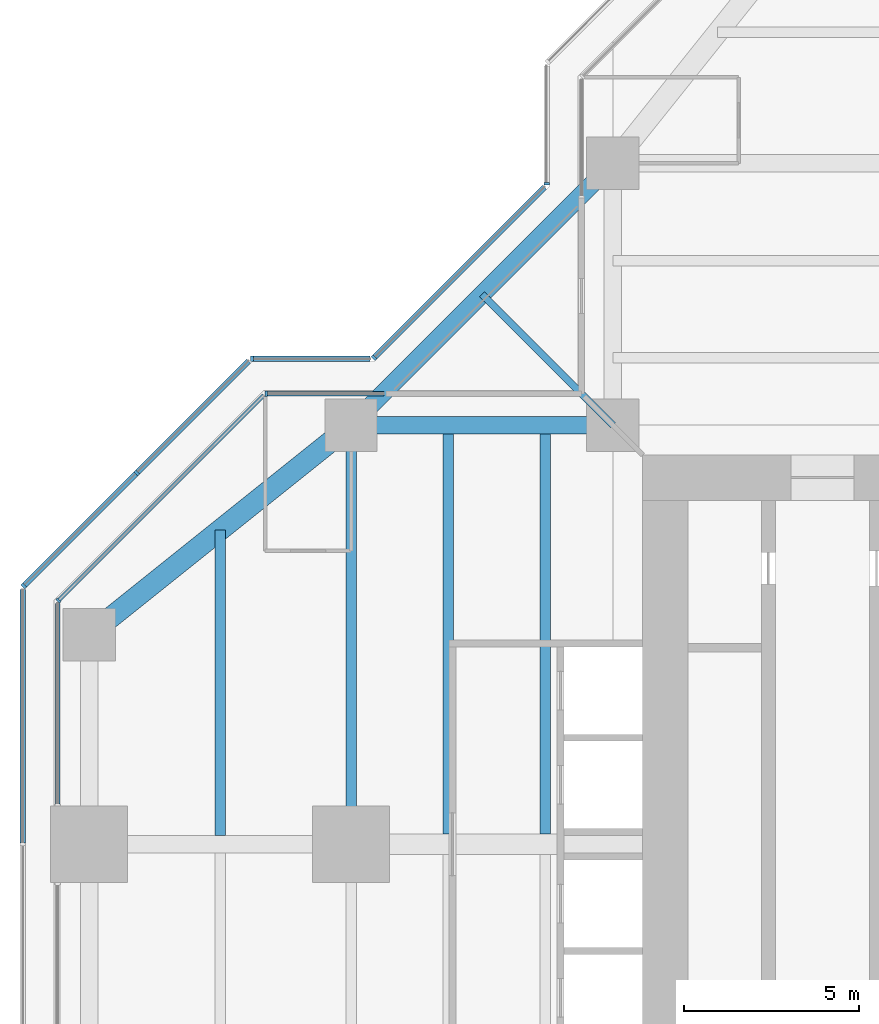
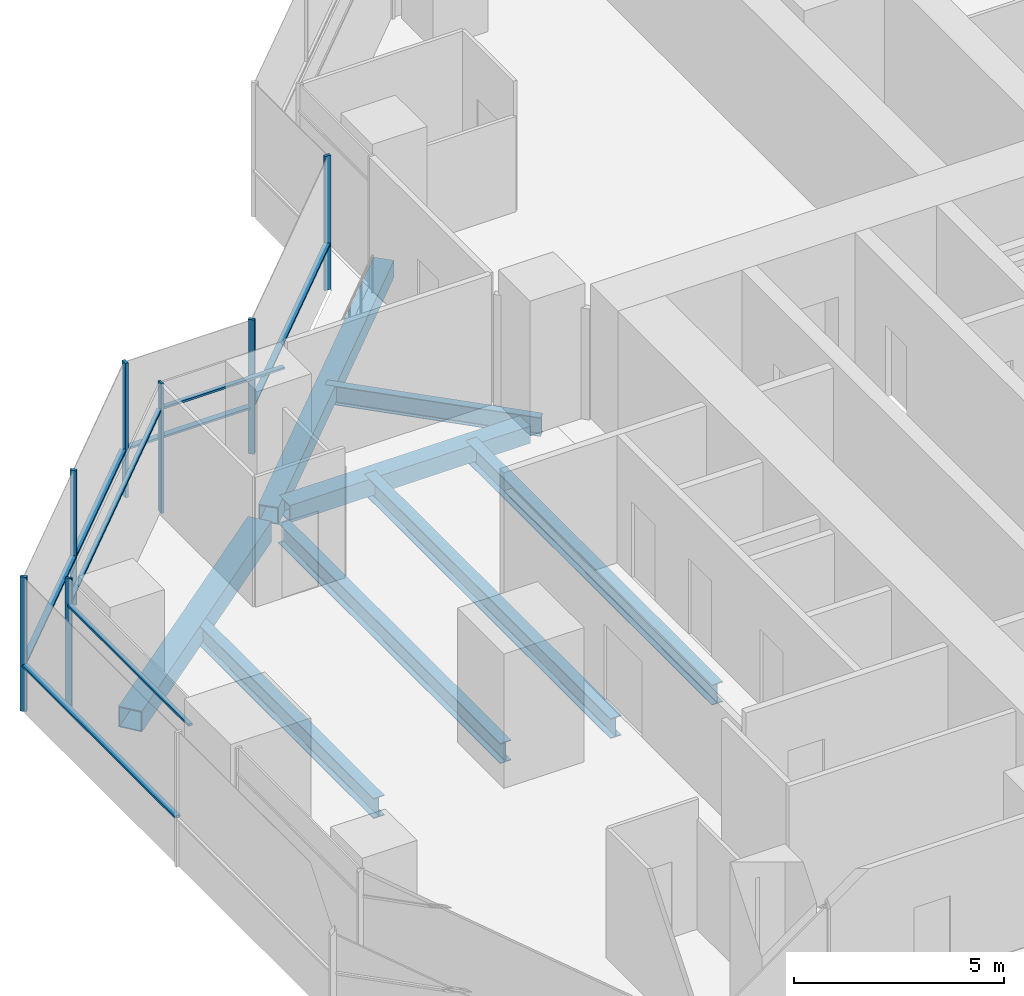
# One storey, part 6 of 17: 15 members, 8 beams, 8 elements without a shape of their own.
"""IFC4 building model written with IfcOpenShell, lengths in metres."""

from ifc_helpers import new_model, si_unit, direction, frame, origin, origin_2d, place, context, subcontext, project, spatial, rectangle, hollow_rectangle, i_section, extrude, material, material_profile, profile_set, type_object, element, aggregate, save


model = new_model("IFC4")

# Units and contexts
model_context = context("Model", 3, precision=1e-05, world=origin(), true_north=direction((0.0, 1.0)))
body_context = subcontext(model_context, "Body", "Model", "MODEL_VIEW")
ifc_project = project(units=[si_unit("LENGTHUNIT", "METRE"), si_unit("AREAUNIT", "SQUARE_METRE"), si_unit("VOLUMEUNIT", "CUBIC_METRE"), si_unit("PLANEANGLEUNIT", "RADIAN"), si_unit("MASSUNIT", "GRAM", prefix="KILO")], contexts=[model_context])

# Site, building, storey
site_placement = place(None, origin())
site = spatial("IfcSite", under=ifc_project, at=site_placement, CompositionType="ELEMENT")
building_placement = place(site_placement, origin())
building = spatial("IfcBuilding", under=site, at=building_placement, Name="Mizan Broadcast Tower", CompositionType="ELEMENT")
storey_placement = place(building_placement, frame((0.0, 0.0, 208.800048828125)))
storey = spatial("IfcBuildingStorey", under=building, at=storey_placement, Name="L48", CompositionType="ELEMENT", Elevation=208.800048828125)

# Beams
ifc_material_1 = material(Name="Steel S355", Category="steel")
ifc_material_profile_1 = material_profile(ifc_material_1, hollow_rectangle(XDim=0.5, YDim=0.5, WallThickness=0.030029296875, at=origin_2d()), Name="BOX 500x500x30")
ifc_profile_set_1 = profile_set([ifc_material_profile_1], Name="Steel S355")
beam_type_1 = type_object("IfcBeamType", Name="EDGE BEAM BOX 500x500x30", PredefinedType="SPANDREL", material=ifc_profile_set_1)
beam_1_placement = place(storey_placement, frame((-12.449951171875, 12.0, -0.380126953125), z_axis=(-1.0, 0.0, 0.0), x_axis=(0.0, -1.0, 0.0)))
element("IfcBeam", 1, at=beam_1_placement, inside=storey, type_object=beam_type_1, Name="Edge beam BOX 500x500x30 L48 west arm", PredefinedType="SPANDREL", context=body_context, shape_type="SweptSolid", body=[
    extrude(hollow_rectangle(XDim=0.5, YDim=0.5, WallThickness=0.030029296875, at=origin_2d()), origin(), (0.0, 0.0, 1.0), 6.60009765625),
])
beam_2_placement = place(storey_placement, frame((-12.0, 19.5, -0.380126953125), z_axis=(-0.707106781187, -0.707106781187, 0.0), x_axis=(0.707106781187, -0.707106781187, 0.0)))
element("IfcBeam", 2, at=beam_2_placement, inside=storey, type_object=beam_type_1, Name="Winter garden edge beam L48 N", PredefinedType="SPANDREL", context=body_context, shape_type="SweptSolid", body=[
    extrude(hollow_rectangle(XDim=0.5, YDim=0.5, WallThickness=0.030029296875, at=origin_2d()), origin(), (0.0, 0.0, 1.0), 10.606689453125),
])
ifc_material_2 = material(Name="Steel S355", Category="steel")
ifc_material_profile_2 = material_profile(ifc_material_2, hollow_rectangle(XDim=0.60009765625, YDim=0.60009765625, WallThickness=0.030029296875, at=origin_2d()), Name="BOX 600x600x30")
ifc_profile_set_2 = profile_set([ifc_material_profile_2], Name="Steel S355")
beam_type_2 = type_object("IfcBeamType", Name="EDGE BEAM BOX 600x600x30", PredefinedType="SPANDREL", material=ifc_profile_set_2)
beam_3_placement = place(storey_placement, frame((-19.949951171875, 11.639892578125, -0.429931640625), z_axis=(-0.780885717636, -0.624673911726, 0.0), x_axis=(0.624673911726, -0.780885717636, 0.0)))
element("IfcBeam", 3, at=beam_3_placement, inside=storey, type_object=beam_type_2, Name="Edge beam BOX 600x600x30 L48 west arm", PredefinedType="SPANDREL", context=body_context, shape_type="SweptSolid", body=[
    extrude(hollow_rectangle(XDim=0.60009765625, YDim=0.60009765625, WallThickness=0.030029296875, at=origin_2d()), origin(), (0.0, 0.0, 1.0), 8.4521484375),
])
ifc_material_3 = material(Name="Steel S355", Category="steel")
ifc_material_profile_3 = material_profile(ifc_material_3, i_section(OverallWidth=0.300048828125, OverallDepth=0.590087890625, WebThickness=0.012939453125, FlangeThickness=0.02490234375, FilletRadius=0.027099609375, at=origin_2d()), Name="HEA 600")
ifc_profile_set_3 = profile_set([ifc_material_profile_3], Name="Steel S355")
beam_type_3 = type_object("IfcBeamType", Name="GIRDER HEA 600", PredefinedType="BEAM", material=ifc_profile_set_3)
beam_4_placement = place(storey_placement, frame((-19.5, 11.280029296875, -0.425048828125), z_axis=(0.0, -1.0, 0.0), x_axis=(1.0, 0.0, 0.0)))
element("IfcBeam", 4, at=beam_4_placement, inside=storey, type_object=beam_type_3, Name="Girder HEA 600 L48 west arm", PredefinedType="BEAM", context=body_context, shape_type="SweptSolid", body=[
    extrude(i_section(OverallWidth=0.300048828125, OverallDepth=0.590087890625, WebThickness=0.012939453125, FlangeThickness=0.02490234375, FilletRadius=0.027099609375, at=origin_2d()), origin(), (0.0, 0.0, 1.0), 10.56005859375),
])

# Curtain wall, member
ifc_material_4 = material(Name="Aluminium framed glazing", Category="aluminium")
curtain_wall_type_1 = type_object("IfcCurtainWallType", Name="INNER SKIN HIGH ZONE", PredefinedType="USERDEFINED", material=ifc_material_4)
curtain_wall_1_placement = place(storey_placement, origin())
curtain_wall_1 = element("IfcCurtainWall", 5, at=curtain_wall_1_placement, inside=storey, type_object=curtain_wall_type_1, Name="Inner skin high zone L48 W side", ObjectType="INNER SKIN HIGH ZONE", PredefinedType="USERDEFINED")
ifc_material_5 = material(Name="Aluminium, pale anodised", Category="aluminium")
ifc_material_profile_4 = material_profile(ifc_material_5, rectangle(XDim=0.159912109375, YDim=0.06005859375, at=origin_2d()), Name="MULLION 160x60")
ifc_profile_set_4 = profile_set([ifc_material_profile_4], Name="Aluminium, pale anodised")
member_type_1 = type_object("IfcMemberType", Name="INNER SKIN MULLION 60x160", PredefinedType="MULLION", material=ifc_profile_set_4)
member_1_placement = place(storey_placement, frame((-21.928466796875, 12.89990234375, 0.0), z_axis=(0.0, 0.0, 1.0), x_axis=(0.0, -1.0, 0.0)))
member_1 = element("IfcMember", 6, at=member_1_placement, type_object=member_type_1, Name="Inner skin high zone L48 W side mullion 2", PredefinedType="MULLION", context=body_context, shape_type="SweptSolid", body=[
    extrude(rectangle(XDim=0.159912109375, YDim=0.06005859375, at=origin_2d()), origin(), (0.0, 0.0, 1.0), 3.77001953125),
])

curtain_wall_2_placement = place(storey_placement, origin())
curtain_wall_2 = element("IfcCurtainWall", 7, at=curtain_wall_2_placement, inside=storey, type_object=curtain_wall_type_1, Name="Inner skin high zone L48 W chamfer", ObjectType="INNER SKIN HIGH ZONE", PredefinedType="USERDEFINED")
member_2_placement = place(storey_placement, frame((-27.87890625, 6.979736328125, 0.0), z_axis=(0.0, 0.0, 1.0), x_axis=(0.707106781187, -0.707106781187, 0.0)))
member_2 = element("IfcMember", 8, at=member_2_placement, type_object=member_type_1, Name="Inner skin high zone L48 W chamfer mullion 2", PredefinedType="MULLION", context=body_context, shape_type="SweptSolid", body=[
    extrude(rectangle(XDim=0.159912109375, YDim=0.06005859375, at=origin_2d()), origin(), (0.0, 0.0, 1.0), 3.77001953125),
])

# Member
ifc_material_6 = material(Name="Aluminium, pale anodised", Category="aluminium")
ifc_material_profile_5 = material_profile(ifc_material_6, rectangle(XDim=0.1201171875, YDim=0.06005859375, at=origin_2d()), Name="TRANSOM 120x60")
ifc_profile_set_5 = profile_set([ifc_material_profile_5], Name="Aluminium, pale anodised")
member_type_2 = type_object("IfcMemberType", Name="INNER SKIN TRANSOM 60x120", PredefinedType="USERDEFINED", material=ifc_profile_set_5)
member_3_placement = place(storey_placement, frame((-18.56005859375, 12.89990234375, 3.030029296875), z_axis=(-1.0, 0.0, 0.0), x_axis=(0.0, -1.0, 0.0)))
member_3 = element("IfcMember", 9, at=member_3_placement, type_object=member_type_2, Name="Inner skin high zone L48 W side transom 1.1", ObjectType="TRANSOM", PredefinedType="USERDEFINED", context=body_context, shape_type="SweptSolid", body=[
    extrude(rectangle(XDim=0.1201171875, YDim=0.06005859375, at=origin_2d()), origin(), (0.0, 0.0, 1.0), 3.338623046875),
])

aggregate(curtain_wall_1, [member_1, member_3])

member_4_placement = place(storey_placement, frame((-22.0009765625, 12.857666015625, 3.030029296875), z_axis=(-0.707106781187, -0.707106781187, 0.0), x_axis=(0.707106781187, -0.707106781187, 0.0)))
member_4 = element("IfcMember", 10, at=member_4_placement, type_object=member_type_2, Name="Inner skin high zone L48 W chamfer transom 1.1", ObjectType="TRANSOM", PredefinedType="USERDEFINED", context=body_context, shape_type="SweptSolid", body=[
    extrude(rectangle(XDim=0.1201171875, YDim=0.06005859375, at=origin_2d()), origin(), (0.0, 0.0, 1.0), 8.28271484375),
])

aggregate(curtain_wall_2, [member_2, member_4])

# Curtain wall, member
curtain_wall_3_placement = place(storey_placement, origin())
curtain_wall_3 = element("IfcCurtainWall", 11, at=curtain_wall_3_placement, inside=storey, type_object=curtain_wall_type_1, Name="Inner skin high zone L48 W end", ObjectType="INNER SKIN HIGH ZONE", PredefinedType="USERDEFINED")
member_5_placement = place(storey_placement, frame((-27.89990234375, 6.898681640625, 3.030029296875), z_axis=(0.0, -1.0, 0.0), x_axis=(1.0, 0.0, 0.0)))
member_5 = element("IfcMember", 12, at=member_5_placement, type_object=member_type_2, Name="Inner skin high zone L48 W end transom 1.1", ObjectType="TRANSOM", PredefinedType="USERDEFINED", context=body_context, shape_type="SweptSolid", body=[
    extrude(rectangle(XDim=0.1201171875, YDim=0.06005859375, at=origin_2d()), origin(), (0.0, 0.0, 1.0), 5.73876953125),
])
aggregate(curtain_wall_3, [member_5])

ifc_material_7 = material(Name="Aluminium framed glazing", Category="aluminium")
curtain_wall_type_2 = type_object("IfcCurtainWallType", Name="OUTER SKIN", PredefinedType="USERDEFINED", material=ifc_material_7)
curtain_wall_4_placement = place(storey_placement, origin())
curtain_wall_4 = element("IfcCurtainWall", 13, at=curtain_wall_4_placement, inside=storey, type_object=curtain_wall_type_2, Name="Outer skin L48 N side", ObjectType="OUTER SKIN", PredefinedType="USERDEFINED")
ifc_material_8 = material(Name="Aluminium, pale anodised", Category="aluminium")
ifc_material_profile_6 = material_profile(ifc_material_8, rectangle(XDim=0.159912109375, YDim=0.080078125, at=origin_2d()), Name="MULLION 160x80")
ifc_profile_set_6 = profile_set([ifc_material_profile_6], Name="Aluminium, pale anodised")
member_type_3 = type_object("IfcMemberType", Name="OUTER SKIN MULLION 80x160", PredefinedType="MULLION", material=ifc_profile_set_6)
member_6_placement = place(storey_placement, frame((-13.89990234375, 18.912841796875, 0.0), z_axis=(0.0, 0.0, 1.0), x_axis=(1.0, 0.0, 0.0)))
member_6 = element("IfcMember", 14, at=member_6_placement, type_object=member_type_3, Name="Outer skin L48 N side mullion 2", PredefinedType="MULLION", context=body_context, shape_type="SweptSolid", body=[
    extrude(rectangle(XDim=0.159912109375, YDim=0.080078125, at=origin_2d()), origin(), (0.0, 0.0, 1.0), 3.89990234375),
])
aggregate(curtain_wall_4, [member_6])

curtain_wall_5_placement = place(storey_placement, origin())
curtain_wall_5 = element("IfcCurtainWall", 15, at=curtain_wall_5_placement, inside=storey, type_object=curtain_wall_type_2, Name="Outer skin L48 W chamfer", ObjectType="OUTER SKIN", PredefinedType="USERDEFINED")
member_7_placement = place(storey_placement, frame((-18.844482421875, 13.92822265625, 0.0), z_axis=(0.0, 0.0, 1.0), x_axis=(0.707106781187, -0.707106781187, 0.0)))
member_7 = element("IfcMember", 16, at=member_7_placement, type_object=member_type_3, Name="Outer skin L48 W chamfer mullion 2", PredefinedType="MULLION", context=body_context, shape_type="SweptSolid", body=[
    extrude(rectangle(XDim=0.159912109375, YDim=0.080078125, at=origin_2d()), origin(), (0.0, 0.0, 1.0), 3.89990234375),
])

curtain_wall_6_placement = place(storey_placement, origin())
curtain_wall_6 = element("IfcCurtainWall", 17, at=curtain_wall_6_placement, inside=storey, type_object=curtain_wall_type_2, Name="Outer skin L48 W side", ObjectType="OUTER SKIN", PredefinedType="USERDEFINED")
member_8_placement = place(storey_placement, frame((-22.332763671875, 13.89990234375, 0.0), z_axis=(0.0, 0.0, 1.0), x_axis=(0.0, -1.0, 0.0)))
member_8 = element("IfcMember", 18, at=member_8_placement, type_object=member_type_3, Name="Outer skin L48 W side mullion 2", PredefinedType="MULLION", context=body_context, shape_type="SweptSolid", body=[
    extrude(rectangle(XDim=0.159912109375, YDim=0.080078125, at=origin_2d()), origin(), (0.0, 0.0, 1.0), 3.89990234375),
])

# Curtain wall, members
curtain_wall_7_placement = place(storey_placement, origin())
curtain_wall_7 = element("IfcCurtainWall", 19, at=curtain_wall_7_placement, inside=storey, type_object=curtain_wall_type_2, Name="Outer skin L48 W chamfer", ObjectType="OUTER SKIN", PredefinedType="USERDEFINED")
member_9_placement = place(storey_placement, frame((-25.636474609375, 10.636474609375, 0.0), z_axis=(0.0, 0.0, 1.0), x_axis=(0.707106781187, -0.707106781187, 0.0)))
member_9 = element("IfcMember", 20, at=member_9_placement, type_object=member_type_3, Name="Outer skin L48 W chamfer mullion 2", PredefinedType="MULLION", context=body_context, shape_type="SweptSolid", body=[
    extrude(rectangle(XDim=0.159912109375, YDim=0.080078125, at=origin_2d()), origin(), (0.0, 0.0, 1.0), 3.89990234375),
])
member_10_placement = place(storey_placement, frame((-28.871826171875, 7.401123046875, 0.0), z_axis=(0.0, 0.0, 1.0), x_axis=(0.707106781187, -0.707106781187, 0.0)))
member_10 = element("IfcMember", 21, at=member_10_placement, type_object=member_type_3, Name="Outer skin L48 W chamfer mullion 3", PredefinedType="MULLION", context=body_context, shape_type="SweptSolid", body=[
    extrude(rectangle(XDim=0.159912109375, YDim=0.080078125, at=origin_2d()), origin(), (0.0, 0.0, 1.0), 3.89990234375),
])

# Member
ifc_material_9 = material(Name="Aluminium, pale anodised", Category="aluminium")
ifc_material_profile_7 = material_profile(ifc_material_9, rectangle(XDim=0.159912109375, YDim=0.06005859375, at=origin_2d()), Name="TRANSOM 160x60")
ifc_profile_set_7 = profile_set([ifc_material_profile_7], Name="Aluminium, pale anodised")
member_type_4 = type_object("IfcMemberType", Name="OUTER SKIN TRANSOM 60x160", PredefinedType="USERDEFINED", material=ifc_profile_set_7)
member_11_placement = place(storey_placement, frame((-13.95654296875, 18.816162109375, 1.39990234375), z_axis=(-0.707106781187, -0.707106781187, 0.0), x_axis=(0.707106781187, -0.707106781187, 0.0)))
member_11 = element("IfcMember", 22, at=member_11_placement, type_object=member_type_4, Name="Outer skin L48 W chamfer transom 1.1", ObjectType="TRANSOM", PredefinedType="USERDEFINED", context=body_context, shape_type="SweptSolid", body=[
    extrude(rectangle(XDim=0.159912109375, YDim=0.06005859375, at=origin_2d()), origin(), (0.0, 0.0, 1.0), 6.87255859375),
])

aggregate(curtain_wall_5, [member_7, member_11])

member_12_placement = place(storey_placement, frame((-18.952880859375, 13.89990234375, 1.39990234375), z_axis=(-1.0, 0.0, 0.0), x_axis=(0.0, -1.0, 0.0)))
member_12 = element("IfcMember", 23, at=member_12_placement, type_object=member_type_4, Name="Outer skin L48 W side transom 1.1", ObjectType="TRANSOM", PredefinedType="USERDEFINED", context=body_context, shape_type="SweptSolid", body=[
    extrude(rectangle(XDim=0.159912109375, YDim=0.06005859375, at=origin_2d()), origin(), (0.0, 0.0, 1.0), 3.33984375),
])

aggregate(curtain_wall_6, [member_8, member_12])

member_13_placement = place(storey_placement, frame((-22.429443359375, 13.843505859375, 1.39990234375), z_axis=(-0.707106781187, -0.707106781187, 0.0), x_axis=(0.707106781187, -0.707106781187, 0.0)))
member_13 = element("IfcMember", 24, at=member_13_placement, type_object=member_type_4, Name="Outer skin L48 W chamfer transom 1.1", ObjectType="TRANSOM", PredefinedType="USERDEFINED", context=body_context, shape_type="SweptSolid", body=[
    extrude(rectangle(XDim=0.159912109375, YDim=0.06005859375, at=origin_2d()), origin(), (0.0, 0.0, 1.0), 4.495361328125),
])

member_14_placement = place(storey_placement, frame((-25.664794921875, 10.608154296875, 1.39990234375), z_axis=(-0.707106781187, -0.707106781187, 0.0), x_axis=(0.707106781187, -0.707106781187, 0.0)))
member_14 = element("IfcMember", 25, at=member_14_placement, type_object=member_type_4, Name="Outer skin L48 W chamfer transom 2.1", ObjectType="TRANSOM", PredefinedType="USERDEFINED", context=body_context, shape_type="SweptSolid", body=[
    extrude(rectangle(XDim=0.159912109375, YDim=0.06005859375, at=origin_2d()), origin(), (0.0, 0.0, 1.0), 4.495361328125),
])

aggregate(curtain_wall_7, [member_9, member_10, member_13, member_14])

# Curtain wall, member
curtain_wall_8_placement = place(storey_placement, origin())
curtain_wall_8 = element("IfcCurtainWall", 26, at=curtain_wall_8_placement, inside=storey, type_object=curtain_wall_type_2, Name="Outer skin L48 W end", ObjectType="OUTER SKIN", PredefinedType="USERDEFINED")
member_15_placement = place(storey_placement, frame((-28.89990234375, 7.292724609375, 1.39990234375), z_axis=(0.0, -1.0, 0.0), x_axis=(1.0, 0.0, 0.0)))
member_15 = element("IfcMember", 27, at=member_15_placement, type_object=member_type_4, Name="Outer skin L48 W end transom 1.1", ObjectType="TRANSOM", PredefinedType="USERDEFINED", context=body_context, shape_type="SweptSolid", body=[
    extrude(rectangle(XDim=0.159912109375, YDim=0.06005859375, at=origin_2d()), origin(), (0.0, 0.0, 1.0), 7.252685546875),
])
aggregate(curtain_wall_8, [member_15])

# Beams
ifc_material_10 = material(Name="Steel S355", Category="steel")
ifc_material_profile_8 = material_profile(ifc_material_10, i_section(OverallWidth=0.300048828125, OverallDepth=0.590087890625, WebThickness=0.012939453125, FlangeThickness=0.02490234375, FilletRadius=0.027099609375, at=origin_2d()), Name="HEA 600")
ifc_profile_set_8 = profile_set([ifc_material_profile_8], Name="Steel S355")
beam_type_4 = type_object("IfcBeamType", Name="SECONDARY BEAM HEA 600", PredefinedType="JOIST", material=ifc_profile_set_8)
for number, where, z_axis, x_axis, name in (
    (28, (-13.933349609375, 12.0, -0.425048828125), (0.0, -1.0, 0.0), (1.0, 0.0, 0.0), "Secondary beam HEA 600 L48 west arm"),
    (29, (-16.716552734375, 12.0, -0.425048828125), (0.0, -1.0, 0.0), (1.0, 0.0, 0.0), "Secondary beam HEA 600 L48 west arm"),
):
    element("IfcBeam", number, at=place(storey_placement, frame(where, z_axis=z_axis, x_axis=x_axis)), inside=storey, type_object=beam_type_4, Name=name, PredefinedType="JOIST", context=body_context, shape_type="SweptSolid", body=[
        extrude(i_section(OverallWidth=0.300048828125, OverallDepth=0.590087890625, WebThickness=0.012939453125, FlangeThickness=0.02490234375, FilletRadius=0.027099609375, at=origin_2d()), origin(), (0.0, 0.0, 1.0), 11.699951171875),
    ])
beam_5_placement = place(storey_placement, frame((-23.25, 9.0, -0.425048828125), z_axis=(0.0, -1.0, 0.0), x_axis=(1.0, 0.0, 0.0)))
element("IfcBeam", 30, at=beam_5_placement, inside=storey, type_object=beam_type_4, Name="Secondary beam HEA 600 L48 west arm", PredefinedType="JOIST", context=body_context, shape_type="SweptSolid", body=[
    extrude(i_section(OverallWidth=0.300048828125, OverallDepth=0.590087890625, WebThickness=0.012939453125, FlangeThickness=0.02490234375, FilletRadius=0.027099609375, at=origin_2d()), origin(), (0.0, 0.0, 1.0), 8.75),
])
ifc_material_11 = material(Name="Steel S355", Category="steel")
ifc_material_profile_9 = material_profile(ifc_material_11, i_section(OverallWidth=0.2099609375, OverallDepth=0.550048828125, WebThickness=0.010986328125, FlangeThickness=0.01708984375, FilletRadius=0.02392578125, at=origin_2d()), Name="IPE 550")
ifc_profile_set_9 = profile_set([ifc_material_profile_9], Name="Steel S355")
beam_type_5 = type_object("IfcBeamType", Name="SECONDARY BEAM IPE 550", PredefinedType="JOIST", material=ifc_profile_set_9)
beam_6_placement = place(storey_placement, frame((-12.0, 12.0, -0.405029296875), z_axis=(-0.707106781187, 0.707106781187, 0.0), x_axis=(-0.707106781187, -0.707106781187, 0.0)))
element("IfcBeam", 31, at=beam_6_placement, inside=storey, type_object=beam_type_5, Name="Winter garden beam L48 N", PredefinedType="JOIST", context=body_context, shape_type="SweptSolid", body=[
    extrude(i_section(OverallWidth=0.2099609375, OverallDepth=0.550048828125, WebThickness=0.010986328125, FlangeThickness=0.01708984375, FilletRadius=0.02392578125, at=origin_2d()), origin(), (0.0, 0.0, 1.0), 5.30322265625),
])

save(model, "model.ifc")
